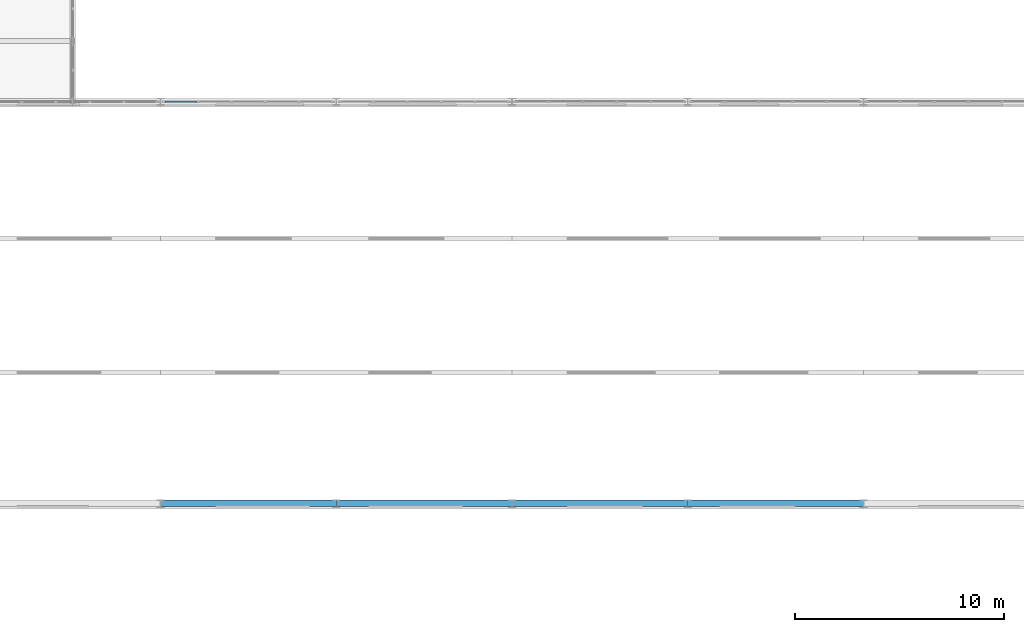
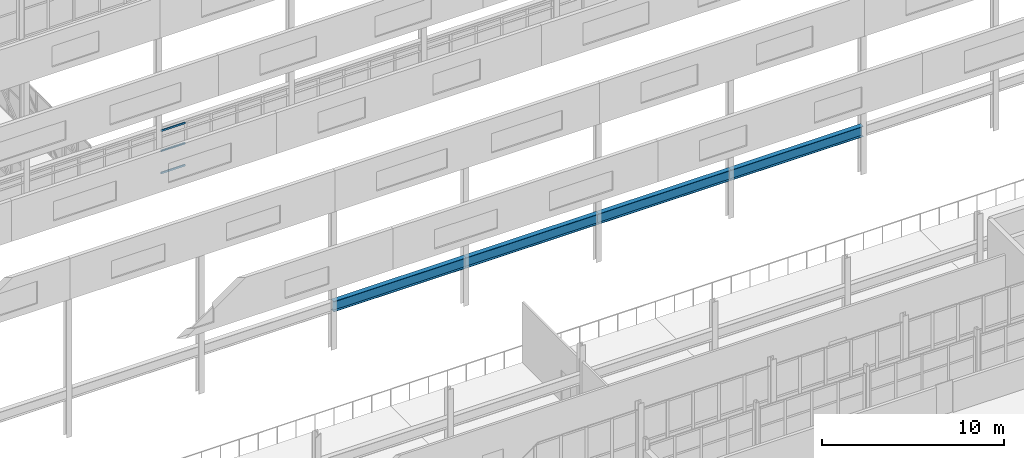
# One storey, part 83 of 218: 4 beams, 3 members, 1 element without a shape of its own.
"""IFC4 building model written with IfcOpenShell, lengths in metres."""

from ifc_helpers import new_model, si_unit, direction, frame, origin, origin_2d, place, context, subcontext, project, spatial, hollow_rectangle, i_section, extrude, material, material_profile, profile_set, type_object, element, aggregate, save


model = new_model("IFC4")

# Units and contexts
model_context = context("Model", 3, precision=1e-05, world=origin(), true_north=direction((0.0, 1.0)))
body_context = subcontext(model_context, "Body", "Model", "MODEL_VIEW")
ifc_project = project(units=[si_unit("LENGTHUNIT", "METRE"), si_unit("AREAUNIT", "SQUARE_METRE"), si_unit("VOLUMEUNIT", "CUBIC_METRE"), si_unit("PLANEANGLEUNIT", "RADIAN"), si_unit("MASSUNIT", "GRAM", prefix="KILO")], contexts=[model_context])

# Site, building, storey
site_placement = place(None, origin())
site = spatial("IfcSite", under=ifc_project, at=site_placement, CompositionType="ELEMENT")
building_placement = place(site_placement, origin())
building = spatial("IfcBuilding", under=site, at=building_placement, Name="Kazenagashi Tramway Depot", CompositionType="ELEMENT")
storey_placement = place(building_placement, frame((0.0, 0.0, 6.0)))
storey = spatial("IfcBuildingStorey", under=building, at=storey_placement, Name="L02", CompositionType="ELEMENT", Elevation=6.0)

# Beams
ifc_material_1 = material(Name="Steel SN490B", Category="steel")
ifc_material_profile_1 = material_profile(ifc_material_1, i_section(OverallWidth=0.3, OverallDepth=0.7, WebThickness=0.013, FlangeThickness=0.024, at=origin_2d()), Name="H-700x300x13x24")
ifc_profile_set_1 = profile_set([ifc_material_profile_1], Name="Steel SN490B")
beam_type = type_object("IfcBeamType", Name="G-02", PredefinedType="BEAM", material=ifc_profile_set_1)
for number, where, z_axis, x_axis, name in (
    (1, (95.2, 35.7, 2.85), (1.0, 0.0, 0.0), (0.0, 1.0, 0.0), "Beam G-02 BM-1167"),
    (2, (103.6, 35.7, 2.85), (1.0, 0.0, 0.0), (0.0, 1.0, 0.0), "Beam G-02 BM-1168"),
    (3, (112.0, 35.7, 2.85), (1.0, 0.0, 0.0), (0.0, 1.0, 0.0), "Beam G-02 BM-1169"),
    (4, (120.4, 35.7, 2.85), (1.0, 0.0, 0.0), (0.0, 1.0, 0.0), "Beam G-02 BM-1170"),
):
    element("IfcBeam", number, at=place(storey_placement, frame(where, z_axis=z_axis, x_axis=x_axis)), inside=storey, type_object=beam_type, Name=name, PredefinedType="BEAM", context=body_context, shape_type="SweptSolid", body=[
        extrude(i_section(OverallWidth=0.3, OverallDepth=0.7, WebThickness=0.013, FlangeThickness=0.024, at=origin_2d()), origin(), (0.0, 0.0, 1.0), 8.4),
    ])

# Curtain wall, members
ifc_material_2 = material(Name="Anodised Aluminium and Low-E Glazing", Category="aluminium")
curtain_wall_type = type_object("IfcCurtainWallType", Name="CW-21", PredefinedType="USERDEFINED", material=ifc_material_2)
curtain_wall_placement = place(storey_placement, origin())
curtain_wall = element("IfcCurtainWall", 5, at=curtain_wall_placement, inside=storey, type_object=curtain_wall_type, Name="Industrial Glazed Screen CW-21 CW-0113", ObjectType="GLAZED SCREEN", PredefinedType="USERDEFINED")
ifc_material_3 = material(Name="Anodised Aluminium", Category="aluminium")
ifc_material_profile_2 = material_profile(ifc_material_3, hollow_rectangle(XDim=0.06, YDim=0.12, WallThickness=0.004, at=origin_2d()), Name="RHS-120x60x4")
ifc_profile_set_2 = profile_set([ifc_material_profile_2], Name="Anodised Aluminium")
member_type = type_object("IfcMemberType", Name="TR-01", PredefinedType="USERDEFINED", material=ifc_profile_set_2)
member_1_placement = place(storey_placement, frame((95.4, 54.9, 0.03), z_axis=(1.0, 0.0, 0.0), x_axis=(0.0, 1.0, 0.0)))
member_1 = element("IfcMember", 6, at=member_1_placement, type_object=member_type, Name="CW-21 transom 1.1", ObjectType="TRANSOM", PredefinedType="USERDEFINED", context=body_context, shape_type="SweptSolid", body=[
    extrude(hollow_rectangle(XDim=0.06, YDim=0.12, WallThickness=0.004, at=origin_2d()), origin(), (0.0, 0.0, 1.0), 1.534),
])
member_2_placement = place(storey_placement, frame((95.4, 54.9, 1.508), z_axis=(1.0, 0.0, 0.0), x_axis=(0.0, 1.0, 0.0)))
member_2 = element("IfcMember", 7, at=member_2_placement, type_object=member_type, Name="CW-21 transom 1.2", ObjectType="TRANSOM", PredefinedType="USERDEFINED", context=body_context, shape_type="SweptSolid", body=[
    extrude(hollow_rectangle(XDim=0.06, YDim=0.12, WallThickness=0.004, at=origin_2d()), origin(), (0.0, 0.0, 1.0), 1.534),
])
member_3_placement = place(storey_placement, frame((95.4, 54.9, 2.87), z_axis=(1.0, 0.0, 0.0), x_axis=(0.0, 1.0, 0.0)))
member_3 = element("IfcMember", 8, at=member_3_placement, type_object=member_type, Name="CW-21 transom 1.3", ObjectType="TRANSOM", PredefinedType="USERDEFINED", context=body_context, shape_type="SweptSolid", body=[
    extrude(hollow_rectangle(XDim=0.06, YDim=0.12, WallThickness=0.004, at=origin_2d()), origin(), (0.0, 0.0, 1.0), 1.534),
])
aggregate(curtain_wall, [member_1, member_2, member_3])

save(model, "model.ifc")
